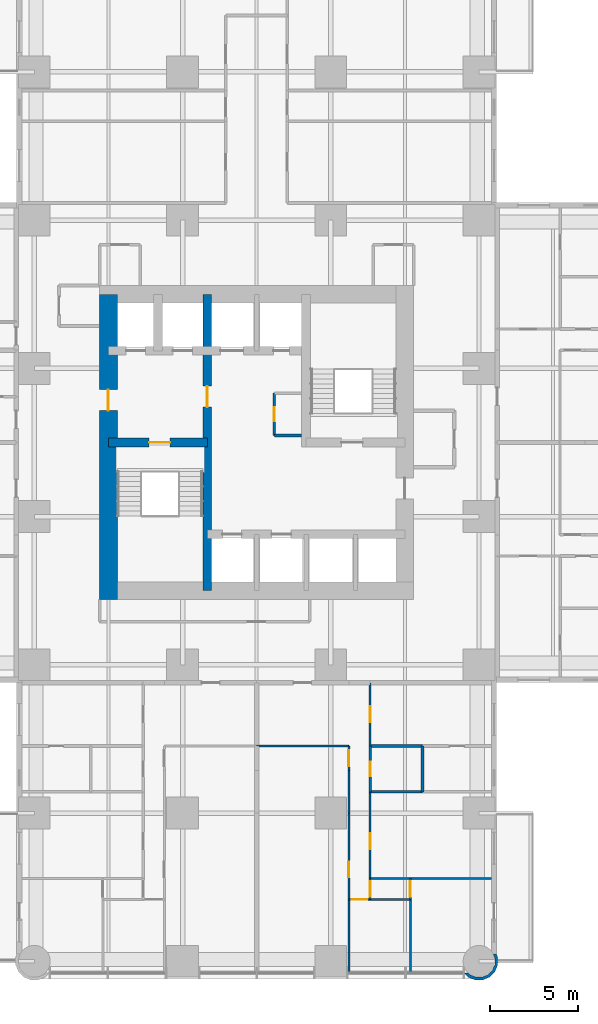
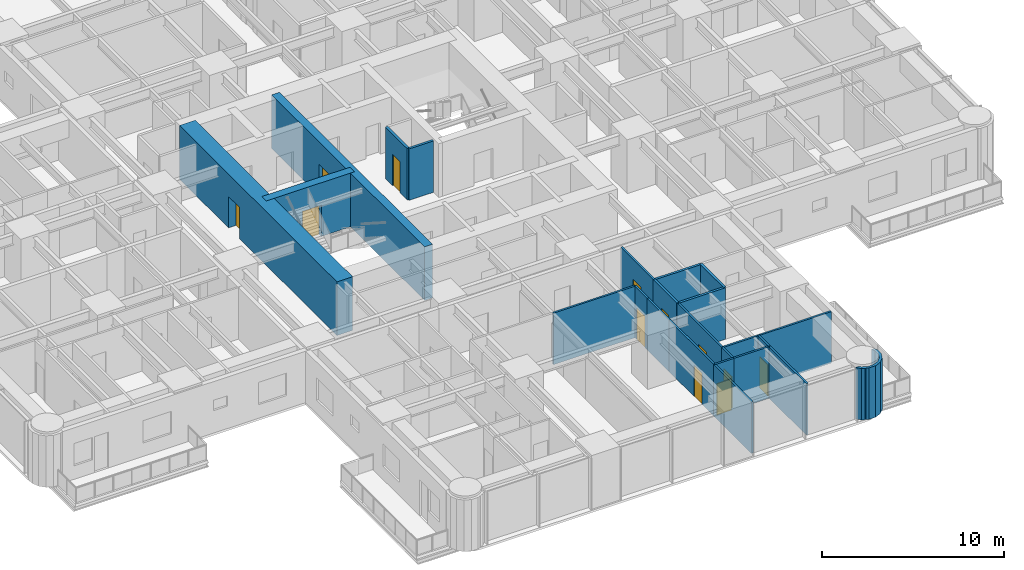
# One storey, part 9 of 17: 24 walls, 12 doors, 12 openings.
"""IFC4 building model written with IfcOpenShell, lengths in metres."""

from ifc_helpers import new_model, si_unit, direction, frame, frame_2d, origin, place, context, subcontext, project, spatial, polyline, rectangle, outline, extrude, material, layer, layer_set, type_object, element, fill, save


model = new_model("IFC4")

# Units and contexts
model_context = context("Model", 3, precision=1e-05, world=origin(), true_north=direction((0.0, 1.0)))
body_context = subcontext(model_context, "Body", "Model", "MODEL_VIEW")
ifc_project = project(units=[si_unit("LENGTHUNIT", "METRE"), si_unit("AREAUNIT", "SQUARE_METRE"), si_unit("VOLUMEUNIT", "CUBIC_METRE"), si_unit("PLANEANGLEUNIT", "RADIAN"), si_unit("MASSUNIT", "GRAM", prefix="KILO")], contexts=[model_context])

# Site, building, storey
site_placement = place(None, origin())
site = spatial("IfcSite", under=ifc_project, at=site_placement, CompositionType="ELEMENT")
building_placement = place(site_placement, origin())
building = spatial("IfcBuilding", under=site, at=building_placement, Name="Torre Alcanfor", CompositionType="ELEMENT")
storey_placement = place(building_placement, frame((0.0, 0.0, 38.10009765625)))
storey = spatial("IfcBuildingStorey", under=building, at=storey_placement, Name="L08", CompositionType="ELEMENT", Elevation=38.10009765625)

# Wall
ifc_material_1 = material(Name="Gypsum board on steel studs", Category="steel")
ifc_layer_1 = layer(ifc_material_1, 0.1201171875)
ifc_layer_set_1 = layer_set([ifc_layer_1], Name="Apartment partition 120")
wall_type_1 = type_object("IfcWallType", Name="Apartment partition 120", PredefinedType="PARTITIONING", material=ifc_layer_set_1)
wall_1_placement = place(storey_placement, frame((29.39990234375, 12.199951171875, 0.0), z_axis=(0.0, 0.0, 1.0), x_axis=(1.0, 0.0, 0.0)))
element("IfcWall", 1, at=wall_1_placement, inside=storey, type_object=wall_type_1, Name="Partition L08-S1-ZAG / L08-S1-LAUND", PredefinedType="PARTITIONING", context=body_context, shape_type="SweptSolid", body=[
    extrude(rectangle(XDim=5.22900390625, YDim=0.1201171875, at=frame_2d((2.614501953125, 0.0))), origin(), (0.0, 0.0, 1.0), 3.449951171875),
])

# Wall, opening, door
wall_2_placement = place(storey_placement, frame((34.62890625, 10.800048828125, 0.0), z_axis=(0.0, 0.0, 1.0), x_axis=(0.0, 1.0, 0.0)))
wall_2 = element("IfcWall", 2, at=wall_2_placement, inside=storey, type_object=wall_type_1, Name="Partition L08-S1-LAUND / L08-S1-HALL", PredefinedType="PARTITIONING", context=body_context, shape_type="SweptSolid", body=[
    extrude(rectangle(XDim=1.39990234375, YDim=0.1201171875, at=frame_2d((0.699951171875, 0.0))), origin(), (0.0, 0.0, 1.0), 3.449951171875),
])
opening_1_placement = place(wall_2_placement, frame((0.25, 0.0, 0.0)))
opening_1 = element("IfcOpeningElement", 3, at=opening_1_placement, cuts=wall_2, Name="Opening D-R1", PredefinedType="OPENING", context=body_context, shape_type="SweptSolid", body=[
    extrude(rectangle(XDim=0.89990234375, YDim=2.10009765625, at=frame_2d((0.449951171875, 1.050048828125))), frame((0.0, 0.070068359375, 0.0), z_axis=(0.0, -1.0, 0.0), x_axis=(1.0, 0.0, 0.0)), (0.0, 0.0, 1.0), 0.14013671875),
])
ifc_material_2 = material(Name="Timber", Category="wood")
door_type_1 = type_object("IfcDoorType", Name="Internal door 900x2100", OperationType="SINGLE_SWING_LEFT", PredefinedType="DOOR", material=ifc_material_2)
door_1_placement = place(opening_1_placement, origin())
door_1 = element("IfcDoor", 4, at=door_1_placement, inside=storey, type_object=door_type_1, Name="Door L08-S1 laund", OperationType="SINGLE_SWING_LEFT", OverallHeight=2.10009765625, OverallWidth=0.89990234375, PredefinedType="DOOR", context=body_context, shape_type="SweptSolid", body=[
    extrude(rectangle(XDim=0.89990234375, YDim=2.10009765625, at=frame_2d((0.449951171875, 1.050048828125))), frame((0.0, 0.02490234375, 0.0), z_axis=(0.0, -1.0, 0.0), x_axis=(1.0, 0.0, 0.0)), (0.0, 0.0, 1.0), 0.050048828125),
])
fill(opening_1, door_1)

# Wall
wall_3_placement = place(storey_placement, frame((34.62890625, 8.39990234375, 0.0), z_axis=(0.0, 0.0, 1.0), x_axis=(0.0, 1.0, 0.0)))
element("IfcWall", 5, at=wall_3_placement, inside=storey, type_object=wall_type_1, Name="Partition L08-S1-KITCHEN / L08-S1-HALL", PredefinedType="PARTITIONING", context=body_context, shape_type="SweptSolid", body=[
    extrude(rectangle(XDim=2.400146484375, YDim=0.1201171875, at=frame_2d((1.2001953125, 0.0))), origin(), (0.0, 0.0, 1.0), 3.449951171875),
])

# Wall, opening, door
wall_4_placement = place(storey_placement, frame((34.62890625, 3.5, 0.0), z_axis=(0.0, 0.0, 1.0), x_axis=(0.0, 1.0, 0.0)))
wall_4 = element("IfcWall", 6, at=wall_4_placement, inside=storey, type_object=wall_type_1, Name="Partition L08-S1-LIVING / L08-S1-HALL", PredefinedType="PARTITIONING", context=body_context, shape_type="SweptSolid", body=[
    extrude(rectangle(XDim=4.89990234375, YDim=0.1201171875, at=frame_2d((2.449951171875, 0.0))), origin(), (0.0, 0.0, 1.0), 3.449951171875),
])
opening_2_placement = place(wall_4_placement, frame((1.25, 0.0, 0.0)))
opening_2 = element("IfcOpeningElement", 7, at=opening_2_placement, cuts=wall_4, Name="Opening D-R1", PredefinedType="OPENING", context=body_context, shape_type="SweptSolid", body=[
    extrude(rectangle(XDim=0.89990234375, YDim=2.10009765625, at=frame_2d((0.449951171875, 1.050048828125))), frame((0.0, 0.070068359375, 0.0), z_axis=(0.0, -1.0, 0.0), x_axis=(1.0, 0.0, 0.0)), (0.0, 0.0, 1.0), 0.14013671875),
])
door_2_placement = place(opening_2_placement, origin())
door_2 = element("IfcDoor", 8, at=door_2_placement, inside=storey, type_object=door_type_1, Name="Door L08-S1 living", OperationType="SINGLE_SWING_RIGHT", OverallHeight=2.10009765625, OverallWidth=0.89990234375, PredefinedType="DOOR", context=body_context, shape_type="SweptSolid", body=[
    extrude(rectangle(XDim=0.89990234375, YDim=2.10009765625, at=frame_2d((0.449951171875, 1.050048828125))), frame((0.0, 0.02490234375, 0.0), z_axis=(0.0, -1.0, 0.0), x_axis=(1.0, 0.0, 0.0)), (0.0, 0.0, 1.0), 0.050048828125),
])
fill(opening_2, door_2)

# Wall
wall_5_placement = place(storey_placement, frame((34.62890625, -0.64990234375, 0.0), z_axis=(0.0, 0.0, 1.0), x_axis=(0.0, 1.0, 0.0)))
element("IfcWall", 9, at=wall_5_placement, inside=storey, type_object=wall_type_1, Name="Partition L08-S1-LIVING / L08-S1-BED2", PredefinedType="PARTITIONING", context=body_context, shape_type="SweptSolid", body=[
    extrude(rectangle(XDim=4.14990234375, YDim=0.1201171875, at=frame_2d((2.074951171875, 0.0))), origin(), (0.0, 0.0, 1.0), 3.449951171875),
])

# Wall, opening, door
wall_6_placement = place(storey_placement, frame((35.8291015625, 12.199951171875, 0.0), z_axis=(0.0, 0.0, 1.0), x_axis=(0.0, 1.0, 0.0)))
wall_6 = element("IfcWall", 10, at=wall_6_placement, inside=storey, type_object=wall_type_1, Name="Partition L08-S1-HALL / L08-S1-SERV", PredefinedType="PARTITIONING", context=body_context, shape_type="SweptSolid", body=[
    extrude(rectangle(XDim=3.574951171875, YDim=0.1201171875, at=frame_2d((1.78759765625, 0.0))), origin(), (0.0, 0.0, 1.0), 3.449951171875),
])
opening_3_placement = place(wall_6_placement, frame((1.35009765625, 0.0, 0.0)))
opening_3 = element("IfcOpeningElement", 11, at=opening_3_placement, cuts=wall_6, Name="Opening D-R1", PredefinedType="OPENING", context=body_context, shape_type="SweptSolid", body=[
    extrude(rectangle(XDim=0.89990234375, YDim=2.10009765625, at=frame_2d((0.449951171875, 1.050048828125))), frame((0.0, 0.070068359375, 0.0), z_axis=(0.0, -1.0, 0.0), x_axis=(1.0, 0.0, 0.0)), (0.0, 0.0, 1.0), 0.14013671875),
])
door_3_placement = place(opening_3_placement, frame((0.89990234375, 0.0, 0.0), z_axis=(0.0, 0.0, 1.0), x_axis=(-1.0, 0.0, 0.0)))
door_3 = element("IfcDoor", 12, at=door_3_placement, inside=storey, type_object=door_type_1, Name="Door L08-S1 serv", OperationType="SINGLE_SWING_LEFT", OverallHeight=2.10009765625, OverallWidth=0.89990234375, PredefinedType="DOOR", context=body_context, shape_type="SweptSolid", body=[
    extrude(rectangle(XDim=0.89990234375, YDim=2.10009765625, at=frame_2d((0.449951171875, 1.050048828125))), frame((0.0, 0.025146484375, 0.0), z_axis=(0.0, -1.0, 0.0), x_axis=(1.0, 0.0, 0.0)), (0.0, 0.0, 1.0), 0.050048828125),
])
fill(opening_3, door_3)

wall_7_placement = place(storey_placement, frame((35.8291015625, 4.699951171875, 0.0), z_axis=(0.0, 0.0, 1.0), x_axis=(0.0, 1.0, 0.0)))
wall_7 = element("IfcWall", 13, at=wall_7_placement, inside=storey, type_object=wall_type_1, Name="Partition L08-S1-HALL / L08-S1-BED3", PredefinedType="PARTITIONING", context=body_context, shape_type="SweptSolid", body=[
    extrude(rectangle(XDim=4.900146484375, YDim=0.1201171875, at=frame_2d((2.4501953125, 0.0))), origin(), (0.0, 0.0, 1.0), 3.449951171875),
])
opening_4_placement = place(wall_7_placement, frame((1.64990234375, 0.0, 0.0)))
opening_4 = element("IfcOpeningElement", 14, at=opening_4_placement, cuts=wall_7, Name="Opening D-R1", PredefinedType="OPENING", context=body_context, shape_type="SweptSolid", body=[
    extrude(rectangle(XDim=0.89990234375, YDim=2.10009765625, at=frame_2d((0.449951171875, 1.050048828125))), frame((0.0, 0.070068359375, 0.0), z_axis=(0.0, -1.0, 0.0), x_axis=(1.0, 0.0, 0.0)), (0.0, 0.0, 1.0), 0.14013671875),
])
door_4_placement = place(opening_4_placement, frame((0.89990234375, 0.0, 0.0), z_axis=(0.0, 0.0, 1.0), x_axis=(-1.0, 0.0, 0.0)))
door_4 = element("IfcDoor", 15, at=door_4_placement, inside=storey, type_object=door_type_1, Name="Door L08-S1 bed3", OperationType="SINGLE_SWING_RIGHT", OverallHeight=2.10009765625, OverallWidth=0.89990234375, PredefinedType="DOOR", context=body_context, shape_type="SweptSolid", body=[
    extrude(rectangle(XDim=0.89990234375, YDim=2.10009765625, at=frame_2d((0.449951171875, 1.050048828125))), frame((0.0, 0.025146484375, 0.0), z_axis=(0.0, -1.0, 0.0), x_axis=(1.0, 0.0, 0.0)), (0.0, 0.0, 1.0), 0.050048828125),
])
fill(opening_4, door_4)

wall_8_placement = place(storey_placement, frame((35.8291015625, 3.5, 0.0), z_axis=(0.0, 0.0, 1.0), x_axis=(0.0, 1.0, 0.0)))
wall_8 = element("IfcWall", 16, at=wall_8_placement, inside=storey, type_object=wall_type_1, Name="Partition L08-S1-HALL / L08-S1-VEST", PredefinedType="PARTITIONING", context=body_context, shape_type="SweptSolid", body=[
    extrude(rectangle(XDim=1.199951171875, YDim=0.1201171875, at=frame_2d((0.60009765625, 0.0))), origin(), (0.0, 0.0, 1.0), 3.449951171875),
])
opening_5_placement = place(wall_8_placement, frame((0.14990234375, 0.0, 0.0)))
opening_5 = element("IfcOpeningElement", 17, at=opening_5_placement, cuts=wall_8, Name="Opening D-R1", PredefinedType="OPENING", context=body_context, shape_type="SweptSolid", body=[
    extrude(rectangle(XDim=0.89990234375, YDim=2.10009765625, at=frame_2d((0.449951171875, 1.050048828125))), frame((0.0, 0.070068359375, 0.0), z_axis=(0.0, -1.0, 0.0), x_axis=(1.0, 0.0, 0.0)), (0.0, 0.0, 1.0), 0.14013671875),
])
door_5_placement = place(opening_5_placement, frame((0.89990234375, 0.0, 0.0), z_axis=(0.0, 0.0, 1.0), x_axis=(-1.0, 0.0, 0.0)))
door_5 = element("IfcDoor", 18, at=door_5_placement, inside=storey, type_object=door_type_1, Name="Door L08-S1 vest", OperationType="SINGLE_SWING_RIGHT", OverallHeight=2.10009765625, OverallWidth=0.89990234375, PredefinedType="DOOR", context=body_context, shape_type="SweptSolid", body=[
    extrude(rectangle(XDim=0.89990234375, YDim=2.10009765625, at=frame_2d((0.449951171875, 1.050048828125))), frame((0.0, 0.025146484375, 0.0), z_axis=(0.0, -1.0, 0.0), x_axis=(1.0, 0.0, 0.0)), (0.0, 0.0, 1.0), 0.050048828125),
])
fill(opening_5, door_5)

wall_9_placement = place(storey_placement, frame((34.62890625, 3.5, 0.0), z_axis=(0.0, 0.0, 1.0), x_axis=(1.0, 0.0, 0.0)))
wall_9 = element("IfcWall", 19, at=wall_9_placement, inside=storey, type_object=wall_type_1, Name="Partition L08-S1-HALL / L08-S1-BED2", PredefinedType="PARTITIONING", context=body_context, shape_type="SweptSolid", body=[
    extrude(rectangle(XDim=1.2001953125, YDim=0.1201171875, at=frame_2d((0.60009765625, 0.0))), origin(), (0.0, 0.0, 1.0), 3.449951171875),
])
opening_6_placement = place(wall_9_placement, frame((0.15087890625, 0.0, 0.0)))
opening_6 = element("IfcOpeningElement", 20, at=opening_6_placement, cuts=wall_9, Name="Opening D-R1", PredefinedType="OPENING", context=body_context, shape_type="SweptSolid", body=[
    extrude(rectangle(XDim=0.89990234375, YDim=2.10009765625, at=frame_2d((0.449951171875, 1.050048828125))), frame((0.0, 0.070068359375, 0.0), z_axis=(0.0, -1.0, 0.0), x_axis=(1.0, 0.0, 0.0)), (0.0, 0.0, 1.0), 0.14013671875),
])
door_6_placement = place(opening_6_placement, frame((0.89990234375, 0.0, 0.0), z_axis=(0.0, 0.0, 1.0), x_axis=(-1.0, 0.0, 0.0)))
door_6 = element("IfcDoor", 21, at=door_6_placement, inside=storey, type_object=door_type_1, Name="Door L08-S1 bed2", OperationType="SINGLE_SWING_RIGHT", OverallHeight=2.10009765625, OverallWidth=0.89990234375, PredefinedType="DOOR", context=body_context, shape_type="SweptSolid", body=[
    extrude(rectangle(XDim=0.89990234375, YDim=2.10009765625, at=frame_2d((0.449951171875, 1.050048828125))), frame((0.0, 0.025146484375, 0.0), z_axis=(0.0, -1.0, 0.0), x_axis=(1.0, 0.0, 0.0)), (0.0, 0.0, 1.0), 0.050048828125),
])
fill(opening_6, door_6)

# Walls
wall_10_placement = place(storey_placement, frame((35.8291015625, 4.699951171875, 0.0), z_axis=(0.0, 0.0, 1.0), x_axis=(1.0, 0.0, 0.0)))
element("IfcWall", 22, at=wall_10_placement, inside=storey, type_object=wall_type_1, Name="Partition L08-S1-BED3 / L08-S1-VEST", PredefinedType="PARTITIONING", context=body_context, shape_type="SweptSolid", body=[
    extrude(rectangle(XDim=2.284912109375, YDim=0.1201171875, at=frame_2d((1.142578125, 0.0))), origin(), (0.0, 0.0, 1.0), 3.449951171875),
])
wall_11_placement = place(storey_placement, frame((38.114013671875, 4.699951171875, 0.0), z_axis=(0.0, 0.0, 1.0), x_axis=(1.0, 0.0, 0.0)))
element("IfcWall", 23, at=wall_11_placement, inside=storey, type_object=wall_type_1, Name="Partition L08-S1-BED3 / L08-S1-MASTER", PredefinedType="PARTITIONING", context=body_context, shape_type="SweptSolid", body=[
    extrude(rectangle(XDim=4.5859375, YDim=0.1201171875, at=frame_2d((2.29296875, 0.0))), origin(), (0.0, 0.0, 1.0), 3.449951171875),
])
wall_12_placement = place(storey_placement, frame((35.8291015625, 3.5, 0.0), z_axis=(0.0, 0.0, 1.0), x_axis=(1.0, 0.0, 0.0)))
element("IfcWall", 24, at=wall_12_placement, inside=storey, type_object=wall_type_1, Name="Partition L08-S1-VEST / L08-S1-BED2", PredefinedType="PARTITIONING", context=body_context, shape_type="SweptSolid", body=[
    extrude(rectangle(XDim=2.284912109375, YDim=0.1201171875, at=frame_2d((1.142578125, 0.0))), origin(), (0.0, 0.0, 1.0), 3.449951171875),
])

# Wall, opening, door
wall_13_placement = place(storey_placement, frame((38.114013671875, 3.5, 0.0), z_axis=(0.0, 0.0, 1.0), x_axis=(0.0, 1.0, 0.0)))
wall_13 = element("IfcWall", 25, at=wall_13_placement, inside=storey, type_object=wall_type_1, Name="Partition L08-S1-VEST / L08-S1-MASTER", PredefinedType="PARTITIONING", context=body_context, shape_type="SweptSolid", body=[
    extrude(rectangle(XDim=1.199951171875, YDim=0.1201171875, at=frame_2d((0.60009765625, 0.0))), origin(), (0.0, 0.0, 1.0), 3.449951171875),
])
opening_7_placement = place(wall_13_placement, frame((0.14990234375, 0.0, 0.0)))
opening_7 = element("IfcOpeningElement", 26, at=opening_7_placement, cuts=wall_13, Name="Opening D-R1", PredefinedType="OPENING", context=body_context, shape_type="SweptSolid", body=[
    extrude(rectangle(XDim=0.89990234375, YDim=2.10009765625, at=frame_2d((0.449951171875, 1.050048828125))), frame((0.0, 0.070068359375, 0.0), z_axis=(0.0, -1.0, 0.0), x_axis=(1.0, 0.0, 0.0)), (0.0, 0.0, 1.0), 0.14013671875),
])
door_7_placement = place(opening_7_placement, origin())
door_7 = element("IfcDoor", 27, at=door_7_placement, inside=storey, type_object=door_type_1, Name="Door L08-S1 master", OperationType="SINGLE_SWING_LEFT", OverallHeight=2.10009765625, OverallWidth=0.89990234375, PredefinedType="DOOR", context=body_context, shape_type="SweptSolid", body=[
    extrude(rectangle(XDim=0.89990234375, YDim=2.10009765625, at=frame_2d((0.449951171875, 1.050048828125))), frame((0.0, 0.02490234375, 0.0), z_axis=(0.0, -1.0, 0.0), x_axis=(1.0, 0.0, 0.0)), (0.0, 0.0, 1.0), 0.050048828125),
])
fill(opening_7, door_7)

# Wall
wall_14_placement = place(storey_placement, frame((38.114013671875, -0.64990234375, 0.0), z_axis=(0.0, 0.0, 1.0), x_axis=(0.0, 1.0, 0.0)))
element("IfcWall", 28, at=wall_14_placement, inside=storey, type_object=wall_type_1, Name="Partition L08-S1-BED2 / L08-S1-MASTER", PredefinedType="PARTITIONING", context=body_context, shape_type="SweptSolid", body=[
    extrude(rectangle(XDim=4.14990234375, YDim=0.1201171875, at=frame_2d((2.074951171875, 0.0))), origin(), (0.0, 0.0, 1.0), 3.449951171875),
])

# Wall, opening, door
ifc_material_3 = material(Name="Concrete f'c 70 MPa", Category="concrete")
ifc_layer_2 = layer(ifc_material_3, 0.5)
ifc_layer_set_2 = layer_set([ifc_layer_2], Name="Core inner wall 500 f'c70")
wall_type_2 = type_object("IfcWallType", Name="Core inner wall 500 f'c70", PredefinedType="SHEAR", material=ifc_layer_set_2)
wall_15_placement = place(storey_placement, frame((26.60009765625, 21.0, 0.0), z_axis=(0.0, 0.0, 1.0), x_axis=(0.0, 1.0, 0.0)))
wall_15 = element("IfcWall", 29, at=wall_15_placement, inside=storey, type_object=wall_type_2, Name="Core wall X266 L08", PredefinedType="SHEAR", context=body_context, shape_type="SweptSolid", body=[
    extrude(rectangle(XDim=16.800048828125, YDim=0.5, at=frame_2d((8.39990234375, 0.0))), origin(), (0.0, 0.0, 1.0), 3.599853515625),
])
opening_8_placement = place(wall_15_placement, frame((10.39990234375, 0.0, 0.0)))
opening_8 = element("IfcOpeningElement", 30, at=opening_8_placement, cuts=wall_15, Name="Opening D-L1", PredefinedType="OPENING", context=body_context, shape_type="SweptSolid", body=[
    extrude(rectangle(XDim=1.199951171875, YDim=2.10009765625, at=frame_2d((0.60009765625, 1.050048828125))), frame((0.0, 0.260009765625, 0.0), z_axis=(0.0, -1.0, 0.0), x_axis=(1.0, 0.0, 0.0)), (0.0, 0.0, 1.0), 0.52001953125),
])
ifc_material_4 = material(Name="Galvanised steel sheet ASTM A653", Category="steel")
door_type_2 = type_object("IfcDoorType", Name="Lobby door FD120 1200x2100", OperationType="SINGLE_SWING_LEFT", PredefinedType="DOOR", material=ifc_material_4)
door_8_placement = place(opening_8_placement, origin())
door_8 = element("IfcDoor", 31, at=door_8_placement, inside=storey, type_object=door_type_2, Name="Lift lobby door L08", OperationType="SINGLE_SWING_LEFT", OverallHeight=2.10009765625, OverallWidth=1.199951171875, PredefinedType="DOOR", context=body_context, shape_type="SweptSolid", body=[
    extrude(rectangle(XDim=1.199951171875, YDim=2.10009765625, at=frame_2d((0.60009765625, 1.050048828125))), frame((0.0, 0.02490234375, 0.0), z_axis=(0.0, -1.0, 0.0), x_axis=(1.0, 0.0, 0.0)), (0.0, 0.0, 1.0), 0.050048828125),
])
fill(opening_8, door_8)

wall_16_placement = place(storey_placement, frame((21.0, 29.39990234375, 0.0), z_axis=(0.0, 0.0, 1.0), x_axis=(1.0, 0.0, 0.0)))
wall_16 = element("IfcWall", 32, at=wall_16_placement, inside=storey, type_object=wall_type_2, Name="Core wall Y294W L08", PredefinedType="SHEAR", context=body_context, shape_type="SweptSolid", body=[
    extrude(rectangle(XDim=5.60009765625, YDim=0.5, at=frame_2d((2.800048828125, 0.0))), origin(), (0.0, 0.0, 1.0), 3.599853515625),
])
opening_9_placement = place(wall_16_placement, frame((2.300048828125, 0.0, 0.0)))
opening_9 = element("IfcOpeningElement", 33, at=opening_9_placement, cuts=wall_16, Name="Opening D-S2", PredefinedType="OPENING", context=body_context, shape_type="SweptSolid", body=[
    extrude(rectangle(XDim=1.199951171875, YDim=2.10009765625, at=frame_2d((0.60009765625, 1.050048828125))), frame((0.0, 0.260009765625, 0.0), z_axis=(0.0, -1.0, 0.0), x_axis=(1.0, 0.0, 0.0)), (0.0, 0.0, 1.0), 0.52001953125),
])
ifc_material_5 = material(Name="Galvanised steel sheet ASTM A653", Category="steel")
door_type_3 = type_object("IfcDoorType", Name="Stair enclosure door FD120 1200x2100", OperationType="SINGLE_SWING_LEFT", PredefinedType="DOOR", material=ifc_material_5)
door_9_placement = place(opening_9_placement, frame((1.199951171875, 0.0, 0.0), z_axis=(0.0, 0.0, 1.0), x_axis=(-1.0, 0.0, 0.0)))
door_9 = element("IfcDoor", 34, at=door_9_placement, inside=storey, type_object=door_type_3, Name="Stair S1 door L08", OperationType="SINGLE_SWING_LEFT", OverallHeight=2.10009765625, OverallWidth=1.199951171875, PredefinedType="DOOR", context=body_context, shape_type="SweptSolid", body=[
    extrude(rectangle(XDim=1.199951171875, YDim=2.10009765625, at=frame_2d((0.599853515625, 1.050048828125))), frame((0.0, 0.025146484375, 0.0), z_axis=(0.0, -1.0, 0.0), x_axis=(1.0, 0.0, 0.0)), (0.0, 0.0, 1.0), 0.050048828125),
])
fill(opening_9, door_9)

ifc_material_6 = material(Name="Concrete f'c 70 MPa", Category="concrete")
ifc_layer_3 = layer(ifc_material_6, 1.0)
ifc_layer_set_3 = layer_set([ifc_layer_3], Name="Core wall 1000 f'c70")
wall_type_3 = type_object("IfcWallType", Name="Core wall 1000 f'c70", PredefinedType="SHEAR", material=ifc_layer_set_3)
wall_17_placement = place(storey_placement, frame((21.0, 37.800048828125, 0.0), z_axis=(0.0, 0.0, 1.0), x_axis=(0.0, -1.0, 0.0)))
wall_17 = element("IfcWall", 35, at=wall_17_placement, inside=storey, type_object=wall_type_3, Name="Core wall OUT-W L08", PredefinedType="SHEAR", context=body_context, shape_type="SweptSolid", body=[
    extrude(rectangle(XDim=17.300048828125, YDim=1.0, at=frame_2d((8.64990234375, 0.0))), origin(), (0.0, 0.0, 1.0), 3.599853515625),
])
opening_10_placement = place(wall_17_placement, frame((5.39990234375, 0.0, 0.0)))
opening_10 = element("IfcOpeningElement", 36, at=opening_10_placement, cuts=wall_17, Name="Opening D-L1", PredefinedType="OPENING", context=body_context, shape_type="SweptSolid", body=[
    extrude(rectangle(XDim=1.199951171875, YDim=2.10009765625, at=frame_2d((0.60009765625, 1.050048828125))), frame((0.0, 0.510009765625, 0.0), z_axis=(0.0, -1.0, 0.0), x_axis=(1.0, 0.0, 0.0)), (0.0, 0.0, 1.0), 1.02001953125),
])
door_10_placement = place(opening_10_placement, origin())
door_10 = element("IfcDoor", 37, at=door_10_placement, inside=storey, type_object=door_type_2, Name="Firefighting lobby door L08", OperationType="SINGLE_SWING_LEFT", OverallHeight=2.10009765625, OverallWidth=1.199951171875, PredefinedType="DOOR", context=body_context, shape_type="SweptSolid", body=[
    extrude(rectangle(XDim=1.199951171875, YDim=2.10009765625, at=frame_2d((0.60009765625, 1.050048828125))), frame((0.0, 0.02490234375, 0.0), z_axis=(0.0, -1.0, 0.0), x_axis=(1.0, 0.0, 0.0)), (0.0, 0.0, 1.0), 0.050048828125),
])
fill(opening_10, door_10)

# Wall
ifc_material_7 = material(Name="Concrete block masonry, hollow blocks NMX-C-404 9 MPa", Category="masonry")
ifc_layer_4 = layer(ifc_material_7, 0.14990234375)
ifc_layer_set_4 = layer_set([ifc_layer_4], Name="Residents' room partition 150")
wall_type_4 = type_object("IfcWallType", Name="Residents' room partition 150", PredefinedType="PARTITIONING", material=ifc_layer_set_4)
wall_18_placement = place(storey_placement, frame((31.949951171875, 29.800048828125, 0.0), z_axis=(0.0, 0.0, 1.0), x_axis=(-1.0, 0.0, 0.0)))
element("IfcWall", 38, at=wall_18_placement, inside=storey, type_object=wall_type_4, Name="Partition L08-LL / L08-CR1", PredefinedType="PARTITIONING", context=body_context, shape_type="SweptSolid", body=[
    extrude(rectangle(XDim=1.550048828125, YDim=0.14990234375, at=frame_2d((0.77490234375, 0.0))), origin(), (0.0, 0.0, 1.0), 3.449951171875),
])

# Wall, opening, door
wall_19_placement = place(storey_placement, frame((30.39990234375, 29.800048828125, 0.0), z_axis=(0.0, 0.0, 1.0), x_axis=(0.0, 1.0, 0.0)))
wall_19 = element("IfcWall", 39, at=wall_19_placement, inside=storey, type_object=wall_type_4, Name="Partition L08-LL / L08-CR1", PredefinedType="PARTITIONING", context=body_context, shape_type="SweptSolid", body=[
    extrude(rectangle(XDim=2.39990234375, YDim=0.14990234375, at=frame_2d((1.199951171875, 0.0))), origin(), (0.0, 0.0, 1.0), 3.449951171875),
])
opening_11_placement = place(wall_19_placement, frame((0.800048828125, 0.0, 0.0)))
opening_11 = element("IfcOpeningElement", 40, at=opening_11_placement, cuts=wall_19, Name="Opening D-R2", PredefinedType="OPENING", context=body_context, shape_type="SweptSolid", body=[
    extrude(rectangle(XDim=0.800048828125, YDim=2.10009765625, at=frame_2d((0.39990234375, 1.050048828125))), frame((0.0, 0.0849609375, 0.0), z_axis=(0.0, -1.0, 0.0), x_axis=(1.0, 0.0, 0.0)), (0.0, 0.0, 1.0), 0.169921875),
])
ifc_material_8 = material(Name="Timber", Category="wood")
door_type_4 = type_object("IfcDoorType", Name="Bathroom door 800x2100", OperationType="SINGLE_SWING_LEFT", PredefinedType="DOOR", material=ifc_material_8)
door_11_placement = place(opening_11_placement, frame((0.800048828125, 0.0, 0.0), z_axis=(0.0, 0.0, 1.0), x_axis=(-1.0, 0.0, 0.0)))
door_11 = element("IfcDoor", 41, at=door_11_placement, inside=storey, type_object=door_type_4, Name="Cleaners' store door L08", OperationType="SINGLE_SWING_RIGHT", OverallHeight=2.10009765625, OverallWidth=0.800048828125, PredefinedType="DOOR", context=body_context, shape_type="SweptSolid", body=[
    extrude(rectangle(XDim=0.800048828125, YDim=2.10009765625, at=frame_2d((0.400146484375, 1.050048828125))), frame((0.0, 0.025146484375, 0.0), z_axis=(0.0, -1.0, 0.0), x_axis=(1.0, 0.0, 0.0)), (0.0, 0.0, 1.0), 0.050048828125),
])
fill(opening_11, door_11)

# Wall
ifc_material_9 = material(Name="Limestone cladding", Category="masonry")
ifc_layer_5 = layer(ifc_material_9, 0.0400390625, Name="Facing")
ifc_material_10 = material(Name="Ventilated air cavity")
ifc_layer_6 = layer(ifc_material_10, 0.02001953125, ventilated=True, Name="Ventilated joint")
ifc_material_11 = material(Name="Mineral wool insulation", Category="insulation")
ifc_layer_7 = layer(ifc_material_11, 0.10009765625, Name="Insulation")
ifc_material_12 = material(Name="Concrete f'c 35 MPa", Category="concrete")
ifc_layer_8 = layer(ifc_material_12, 0.139892578125, Name="Backing")
ifc_layer_set_5 = layer_set([ifc_layer_5, ifc_layer_6, ifc_layer_7, ifc_layer_8], Name="Rounded corner pier stone-clad 300")
wall_type_5 = type_object("IfcWallType", Name="Rounded corner pier stone-clad 300", PredefinedType="SOLIDWALL", material=ifc_layer_set_5)
wall_20_placement = place(storey_placement, frame((41.23340608, -0.610519256, 0.0), z_axis=(0.0, 0.0, 1.0), x_axis=(0.377204953059, -0.926129809145, 0.0)))
element("IfcWall", 42, at=wall_20_placement, inside=storey, type_object=wall_type_5, Name="Corner pier L08 16", PredefinedType="SOLIDWALL", context=body_context, shape_type="SweptSolid", body=[
    extrude(outline(polyline([(0.31873169437185855, 1.8425336525024494), (-0.07152710704046505, 2.001482809968314), (-0.24009471588869835, 2.0005449414227563), (-0.26941358666453996, 2.017231322070639), (-0.37003424962124987, 1.840731870737274), (-0.10240281114565264, 1.842182010528029), (0.22952066537421467, 1.7069923447343507), (0.48468330510664415, 1.4551793700683648), (0.6237907271323827, 1.1248909220292227), (0.6256685839754508, 0.7664021208386822), (0.49047891818177247, 0.4344786443188148), (0.23866594351578668, 0.1793160045863853), (0.09016005264750862, 0.11695717207098313), (0.01086965602056237, -0.07772001681430692), (0.024436010646714988, -0.08324547999388505), (0.3295868985749782, 0.04527476829386376), (0.48015223740573765, 0.19747796194128653), (0.49902760591309464, 0.19268993376963664), (0.5075741737852856, 0.2253240824532252), (0.6260202259498713, 0.3452676153211709), (0.7849693834157356, 0.7355264167334946), (0.7824906971943995, 1.1572636358175066), (0.6187245413991658, 1.5461003251275562), (0.31873169437185855, 1.8425336525024494)])), origin(), (0.0, 0.0, 1.0), 3.449951171875),
])

# Wall, opening, door
ifc_material_13 = material(Name="Cement board on steel studs", Category="steel")
ifc_layer_9 = layer(ifc_material_13, 0.14990234375)
ifc_layer_set_6 = layer_set([ifc_layer_9], Name="Wet area partition 150")
wall_type_6 = type_object("IfcWallType", Name="Wet area partition 150", PredefinedType="PARTITIONING", material=ifc_layer_set_6)
wall_21_placement = place(storey_placement, frame((35.8291015625, 9.60009765625, 0.0), z_axis=(0.0, 0.0, 1.0), x_axis=(0.0, 1.0, 0.0)))
wall_21 = element("IfcWall", 43, at=wall_21_placement, inside=storey, type_object=wall_type_6, Name="Partition L08-S1-HALL / L08-S1-BATH1", PredefinedType="PARTITIONING", context=body_context, shape_type="SweptSolid", body=[
    extrude(rectangle(XDim=2.599853515625, YDim=0.14990234375, at=frame_2d((1.2998046875, 0.0))), origin(), (0.0, 0.0, 1.0), 3.449951171875),
])
opening_12_placement = place(wall_21_placement, frame((0.89990234375, 0.0, 0.0)))
opening_12 = element("IfcOpeningElement", 44, at=opening_12_placement, cuts=wall_21, Name="Opening D-R2", PredefinedType="OPENING", context=body_context, shape_type="SweptSolid", body=[
    extrude(rectangle(XDim=0.800048828125, YDim=2.10009765625, at=frame_2d((0.39990234375, 1.050048828125))), frame((0.0, 0.0849609375, 0.0), z_axis=(0.0, -1.0, 0.0), x_axis=(1.0, 0.0, 0.0)), (0.0, 0.0, 1.0), 0.169921875),
])
door_12_placement = place(opening_12_placement, frame((0.800048828125, 0.0, 0.0), z_axis=(0.0, 0.0, 1.0), x_axis=(-1.0, 0.0, 0.0)))
door_12 = element("IfcDoor", 45, at=door_12_placement, inside=storey, type_object=door_type_4, Name="Door L08-S1 bath1", OperationType="SINGLE_SWING_RIGHT", OverallHeight=2.10009765625, OverallWidth=0.800048828125, PredefinedType="DOOR", context=body_context, shape_type="SweptSolid", body=[
    extrude(rectangle(XDim=0.800048828125, YDim=2.10009765625, at=frame_2d((0.400146484375, 1.050048828125))), frame((0.0, 0.025146484375, 0.0), z_axis=(0.0, -1.0, 0.0), x_axis=(1.0, 0.0, 0.0)), (0.0, 0.0, 1.0), 0.050048828125),
])
fill(opening_12, door_12)

# Walls
wall_22_placement = place(storey_placement, frame((35.8291015625, 12.199951171875, 0.0), z_axis=(0.0, 0.0, 1.0), x_axis=(1.0, 0.0, 0.0)))
element("IfcWall", 46, at=wall_22_placement, inside=storey, type_object=wall_type_6, Name="Partition L08-S1-SERV / L08-S1-BATH1", PredefinedType="PARTITIONING", context=body_context, shape_type="SweptSolid", body=[
    extrude(rectangle(XDim=2.970947265625, YDim=0.14990234375, at=frame_2d((1.4853515625, 0.0))), origin(), (0.0, 0.0, 1.0), 3.449951171875),
])
wall_23_placement = place(storey_placement, frame((38.800048828125, 9.60009765625, 0.0), z_axis=(0.0, 0.0, 1.0), x_axis=(0.0, 1.0, 0.0)))
element("IfcWall", 47, at=wall_23_placement, inside=storey, type_object=wall_type_6, Name="Partition L08-S1-BATH1 / L08-S1-SBATH", PredefinedType="PARTITIONING", context=body_context, shape_type="SweptSolid", body=[
    extrude(rectangle(XDim=2.599853515625, YDim=0.14990234375, at=frame_2d((1.2998046875, 0.0))), origin(), (0.0, 0.0, 1.0), 3.449951171875),
])
wall_24_placement = place(storey_placement, frame((35.8291015625, 9.60009765625, 0.0), z_axis=(0.0, 0.0, 1.0), x_axis=(1.0, 0.0, 0.0)))
element("IfcWall", 48, at=wall_24_placement, inside=storey, type_object=wall_type_6, Name="Partition L08-S1-BATH1 / L08-S1-BED3", PredefinedType="PARTITIONING", context=body_context, shape_type="SweptSolid", body=[
    extrude(rectangle(XDim=2.970947265625, YDim=0.14990234375, at=frame_2d((1.4853515625, 0.0))), origin(), (0.0, 0.0, 1.0), 3.449951171875),
])

save(model, "model.ifc")
